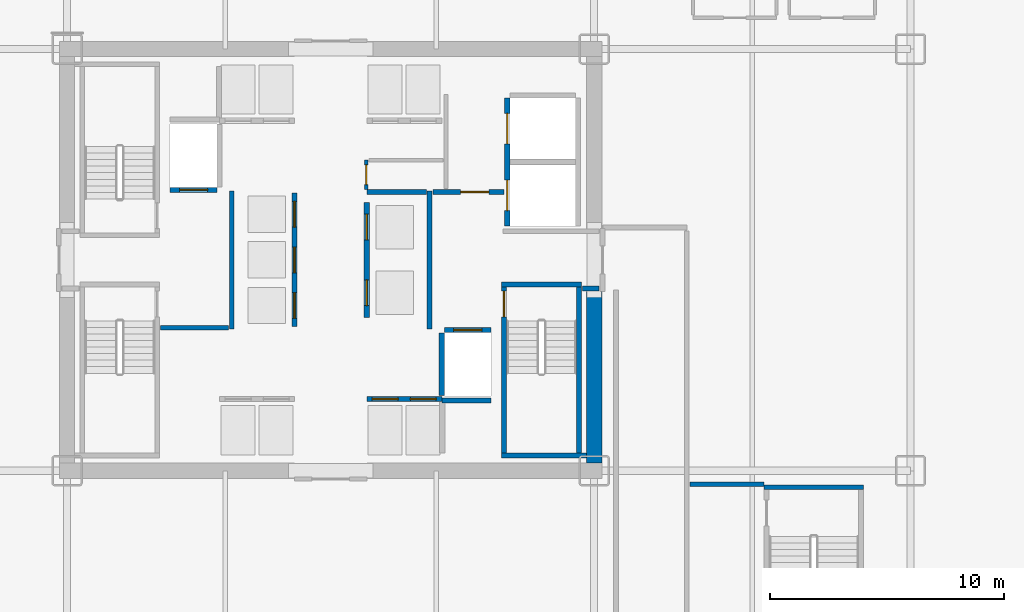
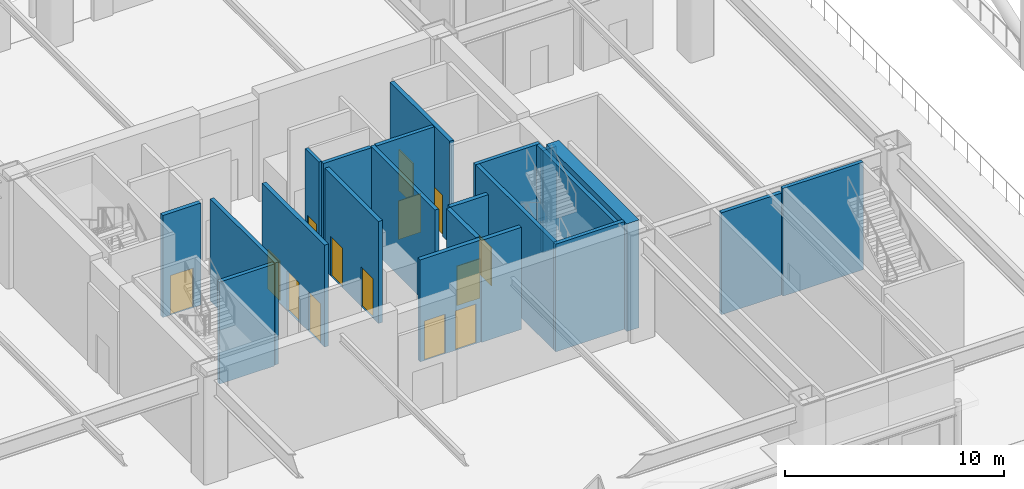
# One storey, part 9 of 17: 22 walls, 14 doors, 14 openings.
"""IFC4 building model written with IfcOpenShell, lengths in metres."""

from ifc_helpers import new_model, si_unit, direction, frame, frame_2d, origin, place, context, subcontext, project, spatial, rectangle, extrude, source, transform, mapped, material, layer, layer_set, type_object, element, fill, save


model = new_model("IFC4")

# Units and contexts
model_context = context("Model", 3, precision=1e-05, world=origin(), true_north=direction((0.0, 1.0)))
body_context = subcontext(model_context, "Body", "Model", "MODEL_VIEW")
ifc_project = project(units=[si_unit("LENGTHUNIT", "METRE"), si_unit("AREAUNIT", "SQUARE_METRE"), si_unit("VOLUMEUNIT", "CUBIC_METRE"), si_unit("PLANEANGLEUNIT", "RADIAN"), si_unit("MASSUNIT", "GRAM", prefix="KILO")], contexts=[model_context])

# Site, building, storey
site_placement = place(None, origin())
site = spatial("IfcSite", under=ifc_project, at=site_placement, CompositionType="ELEMENT")
building_placement = place(site_placement, origin())
building = spatial("IfcBuilding", under=site, at=building_placement, Name="Nefas-Gora Pilgrimage Tower", CompositionType="ELEMENT")
storey_placement = place(building_placement, origin())
storey = spatial("IfcBuildingStorey", under=building, at=storey_placement, Name="L00", CompositionType="ELEMENT", Elevation=0.0)

# Walls
ifc_material_1 = material(Name="Concrete C60/75", Category="concrete")
ifc_layer_1 = layer(ifc_material_1, 0.64990234375)
ifc_layer_set_1 = layer_set([ifc_layer_1], Name="Concrete C60/75")
wall_type_1 = type_object("IfcWallType", Name="SW-CORE-650", PredefinedType="SHEAR", material=ifc_layer_set_1)
shared_shape_1 = source(origin(), body_context, "Body", "SweptSolid", [
    extrude(rectangle(XDim=7.324951171875, YDim=0.64990234375, at=frame_2d((3.66259765625, 0.0))), origin(), (0.0, 0.0, 1.0), 6.0),
])
wall_1_placement = place(storey_placement, frame((11.25, -8.675048828125, 0.0), z_axis=(0.0, 0.0, 1.0), x_axis=(0.0, 1.0, 0.0)))
element("IfcWall", 1, at=wall_1_placement, inside=storey, type_object=wall_type_1, Name="L00 Core Shear Wall E-South", PredefinedType="SHEAR", context=body_context, shape_type="MappedRepresentation", body=[
    mapped(shared_shape_1, transform((0.0, 0.0, 0.0), x_axis=(1.0, 0.0, 0.0), y_axis=(0.0, 1.0, 0.0), z_axis=(0.0, 0.0, 1.0), scale=1.0)),
])
ifc_material_2 = material(Name="Concrete C45/55", Category="concrete")
ifc_layer_2 = layer(ifc_material_2, 0.199951171875)
ifc_layer_set_2 = layer_set([ifc_layer_2], Name="Concrete C45/55")
wall_type_2 = type_object("IfcWallType", Name="IW-STAIR-200", PredefinedType="SOLIDWALL", material=ifc_layer_set_2)
shared_shape_2 = source(origin(), body_context, "Body", "SweptSolid", [
    extrude(rectangle(XDim=3.39990234375, YDim=0.199951171875, at=frame_2d((1.699951171875, 0.0))), origin(), (0.0, 0.0, 1.0), 6.0),
])
wall_2_placement = place(storey_placement, frame((7.300048828125, -1.050048828125, 0.0), z_axis=(0.0, 0.0, 1.0), x_axis=(1.0, 0.0, 0.0)))
element("IfcWall", 2, at=wall_2_placement, inside=storey, type_object=wall_type_2, Name="L00 Stairwell Shear Wall ST-02-near", PredefinedType="SOLIDWALL", context=body_context, shape_type="MappedRepresentation", body=[
    mapped(shared_shape_2, transform((0.0, 0.0, 0.0), x_axis=(1.0, 0.0, 0.0), y_axis=(0.0, 1.0, 0.0), z_axis=(0.0, 0.0, 1.0), scale=1.0)),
])
shared_shape_3 = source(origin(), body_context, "Body", "SweptSolid", [
    extrude(rectangle(XDim=3.6298828125, YDim=0.199951171875, at=frame_2d((1.81494140625, 0.0))), origin(), (0.0, 0.0, 1.0), 6.0),
])
wall_3_placement = place(storey_placement, frame((7.300048828125, -8.35009765625, 0.0), z_axis=(0.0, 0.0, 1.0), x_axis=(1.0, 0.0, 0.0)))
element("IfcWall", 3, at=wall_3_placement, inside=storey, type_object=wall_type_2, Name="L00 Stairwell Shear Wall ST-02-far", PredefinedType="SOLIDWALL", context=body_context, shape_type="MappedRepresentation", body=[
    mapped(shared_shape_3, transform((0.0, 0.0, 0.0), x_axis=(1.0, 0.0, 0.0), y_axis=(0.0, 1.0, 0.0), z_axis=(0.0, 0.0, 1.0), scale=1.0)),
])

# Wall, opening, door
shared_shape_4 = source(origin(), body_context, "Body", "SweptSolid", [
    extrude(rectangle(XDim=7.10009765625, YDim=0.199951171875, at=frame_2d((3.550048828125, 0.0))), origin(), (0.0, 0.0, 1.0), 6.0),
])
wall_4_placement = place(storey_placement, frame((7.39990234375, -1.14990234375, 0.0), z_axis=(0.0, 0.0, 1.0), x_axis=(0.0, -1.0, 0.0)))
wall_4 = element("IfcWall", 4, at=wall_4_placement, inside=storey, type_object=wall_type_2, Name="L00 Stairwell Shear Wall ST-02-left", PredefinedType="SOLIDWALL", context=body_context, shape_type="MappedRepresentation", body=[
    mapped(shared_shape_4, transform((0.0, 0.0, 0.0), x_axis=(1.0, 0.0, 0.0), y_axis=(0.0, 1.0, 0.0), z_axis=(0.0, 0.0, 1.0), scale=1.0)),
])
opening_1_placement = place(wall_4_placement, frame((0.179931640625, 0.0, 0.0)))
opening_1 = element("IfcOpeningElement", 5, at=opening_1_placement, cuts=wall_4, Name="Opening ID-ST1", PredefinedType="OPENING", context=body_context, shape_type="SweptSolid", body=[
    extrude(rectangle(XDim=1.10009765625, YDim=2.14990234375, at=frame_2d((0.550048828125, 1.074951171875))), frame((0.0, 0.10986328125, 0.0), z_axis=(0.0, -1.0, 0.0), x_axis=(1.0, 0.0, 0.0)), (0.0, 0.0, 1.0), 0.219970703125),
])
ifc_material_3 = material(Name="Painted galvanised steel fire stair door", Category="steel")
door_type_1 = type_object("IfcDoorType", Name="DR-INT-STAIR-1100", OperationType="NOTDEFINED", PredefinedType="DOOR", material=ifc_material_3)
shared_shape_5 = source(origin(), body_context, "Body", "SweptSolid", [
    extrude(rectangle(XDim=1.10009765625, YDim=2.14990234375, at=frame_2d((0.550048828125, 1.074951171875))), frame((0.0, 0.02490234375, 0.0), z_axis=(0.0, -1.0, 0.0), x_axis=(1.0, 0.0, 0.0)), (0.0, 0.0, 1.0), 0.050048828125),
])
door_1_placement = place(opening_1_placement, frame((1.10009765625, 0.0, 0.0), z_axis=(0.0, 0.0, 1.0), x_axis=(-1.0, 0.0, 0.0)))
door_1 = element("IfcDoor", 6, at=door_1_placement, inside=storey, type_object=door_type_1, Name="L00 Protected Exit Stair Door ST-02", OperationType="SINGLE_SWING_LEFT", OverallHeight=2.14990234375, OverallWidth=1.10009765625, PredefinedType="DOOR", context=body_context, shape_type="MappedRepresentation", body=[
    mapped(shared_shape_5, transform((0.0, 0.0, 0.0), x_axis=(1.0, 0.0, 0.0), y_axis=(0.0, 1.0, 0.0), z_axis=(0.0, 0.0, 1.0), scale=1.0)),
])
fill(opening_1, door_1)

# Walls
wall_5_placement = place(storey_placement, frame((10.60009765625, -1.14990234375, 0.0), z_axis=(0.0, 0.0, 1.0), x_axis=(0.0, -1.0, 0.0)))
element("IfcWall", 7, at=wall_5_placement, inside=storey, type_object=wall_type_2, Name="L00 Stairwell Shear Wall ST-02-right", PredefinedType="SOLIDWALL", context=body_context, shape_type="MappedRepresentation", body=[
    mapped(shared_shape_4, transform((0.0, 0.0, 0.0), x_axis=(1.0, 0.0, 0.0), y_axis=(0.0, 1.0, 0.0), z_axis=(0.0, 0.0, 1.0), scale=1.0)),
])
shared_shape_6 = source(origin(), body_context, "Body", "SweptSolid", [
    extrude(rectangle(XDim=4.239990234375, YDim=0.199951171875, at=frame_2d((2.1201171875, 0.0))), origin(), (0.0, 0.0, 1.0), 6.0),
])
wall_6_placement = place(storey_placement, frame((18.5, -9.699951171875, 0.0), z_axis=(0.0, 0.0, 1.0), x_axis=(1.0, 0.0, 0.0)))
element("IfcWall", 8, at=wall_6_placement, inside=storey, type_object=wall_type_2, Name="L00 Stairwell Shear Wall ST-06-near", PredefinedType="SOLIDWALL", context=body_context, shape_type="MappedRepresentation", body=[
    mapped(shared_shape_6, transform((0.0, 0.0, 0.0), x_axis=(1.0, 0.0, 0.0), y_axis=(0.0, 1.0, 0.0), z_axis=(0.0, 0.0, 1.0), scale=1.0)),
])

# Wall, opening, door
ifc_material_4 = material(Name="Concrete C40/50", Category="concrete")
ifc_layer_3 = layer(ifc_material_4, 0.219970703125)
ifc_layer_set_3 = layer_set([ifc_layer_3], Name="Concrete C40/50")
wall_type_3 = type_object("IfcWallType", Name="IW-SHAFT-220", PredefinedType="SOLIDWALL", material=ifc_layer_set_3)
shared_shape_7 = source(origin(), body_context, "Body", "SweptSolid", [
    extrude(rectangle(XDim=2.0, YDim=0.219970703125, at=frame_2d((1.0, 0.0))), origin(), (0.0, 0.0, 1.0), 5.68505859375),
])
wall_7_placement = place(storey_placement, frame((-6.85009765625, 2.989990234375, 0.0), z_axis=(0.0, 0.0, 1.0), x_axis=(1.0, 0.0, 0.0)))
wall_7 = element("IfcWall", 9, at=wall_7_placement, inside=storey, type_object=wall_type_3, Name="L00 Hoistway Wall FFL-01-S", PredefinedType="SOLIDWALL", context=body_context, shape_type="MappedRepresentation", body=[
    mapped(shared_shape_7, transform((0.0, 0.0, 0.0), x_axis=(1.0, 0.0, 0.0), y_axis=(0.0, 1.0, 0.0), z_axis=(0.0, 0.0, 1.0), scale=1.0)),
])
opening_2_placement = place(wall_7_placement, frame((0.39990234375, 0.0, 0.0)))
opening_2 = element("IfcOpeningElement", 10, at=opening_2_placement, cuts=wall_7, Name="Opening LD-FF", PredefinedType="OPENING", context=body_context, shape_type="SweptSolid", body=[
    extrude(rectangle(XDim=1.199951171875, YDim=2.199951171875, at=frame_2d((0.60009765625, 1.10009765625))), frame((0.0, 0.119873046875, 0.0), z_axis=(0.0, -1.0, 0.0), x_axis=(1.0, 0.0, 0.0)), (0.0, 0.0, 1.0), 0.239990234375),
])
ifc_material_5 = material(Name="Fire-service sliding lift landing door")
door_type_2 = type_object("IfcDoorType", Name="DR-LIFT-FSAE-1200", OperationType="SLIDING_TO_LEFT", PredefinedType="DOOR", material=ifc_material_5)
shared_shape_8 = source(origin(), body_context, "Body", "SweptSolid", [
    extrude(rectangle(XDim=1.199951171875, YDim=2.199951171875, at=frame_2d((0.60009765625, 1.10009765625))), frame((0.0, 0.02490234375, 0.0), z_axis=(0.0, -1.0, 0.0), x_axis=(1.0, 0.0, 0.0)), (0.0, 0.0, 1.0), 0.050048828125),
])
door_2_placement = place(opening_2_placement, origin())
door_2 = element("IfcDoor", 11, at=door_2_placement, inside=storey, type_object=door_type_2, Name="L00 Sliding Lift Landing Door FFL-01", OperationType="SLIDING_TO_LEFT", OverallHeight=2.199951171875, OverallWidth=1.199951171875, PredefinedType="DOOR", context=body_context, shape_type="MappedRepresentation", body=[
    mapped(shared_shape_8, transform((0.0, 0.0, 0.0), x_axis=(1.0, 0.0, 0.0), y_axis=(0.0, 1.0, 0.0), z_axis=(0.0, 0.0, 1.0), scale=1.0)),
])
fill(opening_2, door_2)

wall_8_placement = place(storey_placement, frame((6.85009765625, -2.989990234375, 0.0), z_axis=(0.0, 0.0, 1.0), x_axis=(-1.0, 0.0, 0.0)))
wall_8 = element("IfcWall", 12, at=wall_8_placement, inside=storey, type_object=wall_type_3, Name="L00 Hoistway Wall FFL-02-N", PredefinedType="SOLIDWALL", context=body_context, shape_type="MappedRepresentation", body=[
    mapped(shared_shape_7, transform((0.0, 0.0, 0.0), x_axis=(1.0, 0.0, 0.0), y_axis=(0.0, 1.0, 0.0), z_axis=(0.0, 0.0, 1.0), scale=1.0)),
])
opening_3_placement = place(wall_8_placement, frame((0.39990234375, 0.0, 0.0)))
opening_3 = element("IfcOpeningElement", 13, at=opening_3_placement, cuts=wall_8, Name="Opening LD-FF", PredefinedType="OPENING", context=body_context, shape_type="SweptSolid", body=[
    extrude(rectangle(XDim=1.199951171875, YDim=2.199951171875, at=frame_2d((0.60009765625, 1.10009765625))), frame((0.0, 0.119873046875, 0.0), z_axis=(0.0, -1.0, 0.0), x_axis=(1.0, 0.0, 0.0)), (0.0, 0.0, 1.0), 0.239990234375),
])
door_3_placement = place(opening_3_placement, origin())
door_3 = element("IfcDoor", 14, at=door_3_placement, inside=storey, type_object=door_type_2, Name="L00 Sliding Lift Landing Door FFL-02", OperationType="SLIDING_TO_LEFT", OverallHeight=2.199951171875, OverallWidth=1.199951171875, PredefinedType="DOOR", context=body_context, shape_type="MappedRepresentation", body=[
    mapped(shared_shape_8, transform((0.0, 0.0, 0.0), x_axis=(1.0, 0.0, 0.0), y_axis=(0.0, 1.0, 0.0), z_axis=(0.0, 0.0, 1.0), scale=1.0)),
])
fill(opening_3, door_3)

# Wall
shared_shape_9 = source(origin(), body_context, "Body", "SweptSolid", [
    extrude(rectangle(XDim=2.679931640625, YDim=0.219970703125, at=frame_2d((1.33984375, 0.0))), origin(), (0.0, 0.0, 1.0), 5.68505859375),
])
wall_9_placement = place(storey_placement, frame((4.739990234375, -3.110107421875, 0.0), z_axis=(0.0, 0.0, 1.0), x_axis=(0.0, -1.0, 0.0)))
element("IfcWall", 15, at=wall_9_placement, inside=storey, type_object=wall_type_3, Name="L00 Hoistway Wall FFL-02-W", PredefinedType="SOLIDWALL", context=body_context, shape_type="MappedRepresentation", body=[
    mapped(shared_shape_9, transform((0.0, 0.0, 0.0), x_axis=(1.0, 0.0, 0.0), y_axis=(0.0, 1.0, 0.0), z_axis=(0.0, 0.0, 1.0), scale=1.0)),
])

# Wall, openings, doors
shared_shape_10 = source(origin(), body_context, "Body", "SweptSolid", [
    extrude(rectangle(XDim=5.449951171875, YDim=0.219970703125, at=frame_2d((2.72509765625, 0.0))), origin(), (0.0, 0.0, 1.0), 5.68505859375),
])
wall_10_placement = place(storey_placement, frame((7.5400390625, 6.89990234375, 0.0), z_axis=(0.0, 0.0, 1.0), x_axis=(0.0, -1.0, 0.0)))
wall_10 = element("IfcWall", 16, at=wall_10_placement, inside=storey, type_object=wall_type_3, Name="L00 Hoistway Wall SL-01-02-W", PredefinedType="SOLIDWALL", context=body_context, shape_type="MappedRepresentation", body=[
    mapped(shared_shape_10, transform((0.0, 0.0, 0.0), x_axis=(1.0, 0.0, 0.0), y_axis=(0.0, 1.0, 0.0), z_axis=(0.0, 0.0, 1.0), scale=1.0)),
])
opening_4_placement = place(wall_10_placement, frame((3.5, 0.0, 0.0)))
opening_4 = element("IfcOpeningElement", 17, at=opening_4_placement, cuts=wall_10, Name="Opening LD-SV", PredefinedType="OPENING", context=body_context, shape_type="SweptSolid", body=[
    extrude(rectangle(XDim=1.300048828125, YDim=2.300048828125, at=frame_2d((0.64990234375, 1.14990234375))), frame((0.0, 0.119873046875, 0.0), z_axis=(0.0, -1.0, 0.0), x_axis=(1.0, 0.0, 0.0)), (0.0, 0.0, 1.0), 0.239990234375),
])
opening_5_placement = place(wall_10_placement, frame((0.64990234375, 0.0, 0.0)))
opening_5 = element("IfcOpeningElement", 18, at=opening_5_placement, cuts=wall_10, Name="Opening LD-SV", PredefinedType="OPENING", context=body_context, shape_type="SweptSolid", body=[
    extrude(rectangle(XDim=1.300048828125, YDim=2.300048828125, at=frame_2d((0.64990234375, 1.14990234375))), frame((0.0, 0.119873046875, 0.0), z_axis=(0.0, -1.0, 0.0), x_axis=(1.0, 0.0, 0.0)), (0.0, 0.0, 1.0), 0.239990234375),
])
ifc_material_6 = material(Name="Heavy goods sliding lift landing door")
door_type_3 = type_object("IfcDoorType", Name="DR-LIFT-SERV-1300", OperationType="SLIDING_TO_RIGHT", PredefinedType="DOOR", material=ifc_material_6)
shared_shape_11 = source(origin(), body_context, "Body", "SweptSolid", [
    extrude(rectangle(XDim=1.300048828125, YDim=2.300048828125, at=frame_2d((0.64990234375, 1.14990234375))), frame((0.0, 0.02490234375, 0.0), z_axis=(0.0, -1.0, 0.0), x_axis=(1.0, 0.0, 0.0)), (0.0, 0.0, 1.0), 0.050048828125),
])
door_4_placement = place(opening_4_placement, origin())
door_4 = element("IfcDoor", 19, at=door_4_placement, inside=storey, type_object=door_type_3, Name="L00 Sliding Lift Landing Door SL-01", OperationType="SLIDING_TO_RIGHT", OverallHeight=2.300048828125, OverallWidth=1.300048828125, PredefinedType="DOOR", context=body_context, shape_type="MappedRepresentation", body=[
    mapped(shared_shape_11, transform((0.0, 0.0, 0.0), x_axis=(1.0, 0.0, 0.0), y_axis=(0.0, 1.0, 0.0), z_axis=(0.0, 0.0, 1.0), scale=1.0)),
])
fill(opening_4, door_4)
door_5_placement = place(opening_5_placement, origin())
door_5 = element("IfcDoor", 20, at=door_5_placement, inside=storey, type_object=door_type_3, Name="L00 Sliding Lift Landing Door SL-02", OperationType="SLIDING_TO_RIGHT", OverallHeight=2.300048828125, OverallWidth=1.300048828125, PredefinedType="DOOR", context=body_context, shape_type="MappedRepresentation", body=[
    mapped(shared_shape_11, transform((0.0, 0.0, 0.0), x_axis=(1.0, 0.0, 0.0), y_axis=(0.0, 1.0, 0.0), z_axis=(0.0, 0.0, 1.0), scale=1.0)),
])
fill(opening_5, door_5)

shared_shape_12 = source(origin(), body_context, "Body", "SweptSolid", [
    extrude(rectangle(XDim=3.199951171875, YDim=0.219970703125, at=frame_2d((1.60009765625, 0.0))), origin(), (0.0, 0.0, 1.0), 5.68505859375),
])
wall_11_placement = place(storey_placement, frame((4.75, -5.93994140625, 0.0), z_axis=(0.0, 0.0, 1.0), x_axis=(-1.0, 0.0, 0.0)))
wall_11 = element("IfcWall", 21, at=wall_11_placement, inside=storey, type_object=wall_type_3, Name="L00 Hoistway Wall PL2-E-N", PredefinedType="SOLIDWALL", context=body_context, shape_type="MappedRepresentation", body=[
    mapped(shared_shape_12, transform((0.0, 0.0, 0.0), x_axis=(1.0, 0.0, 0.0), y_axis=(0.0, 1.0, 0.0), z_axis=(0.0, 0.0, 1.0), scale=1.0)),
])
opening_6_placement = place(wall_11_placement, frame((1.875, 0.0, 0.0)))
opening_6 = element("IfcOpeningElement", 22, at=opening_6_placement, cuts=wall_11, Name="Opening LD-01", PredefinedType="OPENING", context=body_context, shape_type="SweptSolid", body=[
    extrude(rectangle(XDim=1.10009765625, YDim=2.199951171875, at=frame_2d((0.550048828125, 1.10009765625))), frame((0.0, 0.119873046875, 0.0), z_axis=(0.0, -1.0, 0.0), x_axis=(1.0, 0.0, 0.0)), (0.0, 0.0, 1.0), 0.239990234375),
])
opening_7_placement = place(wall_11_placement, frame((0.25, 0.0, 0.0)))
opening_7 = element("IfcOpeningElement", 23, at=opening_7_placement, cuts=wall_11, Name="Opening LD-01", PredefinedType="OPENING", context=body_context, shape_type="SweptSolid", body=[
    extrude(rectangle(XDim=1.10009765625, YDim=2.199951171875, at=frame_2d((0.550048828125, 1.10009765625))), frame((0.0, 0.119873046875, 0.0), z_axis=(0.0, -1.0, 0.0), x_axis=(1.0, 0.0, 0.0)), (0.0, 0.0, 1.0), 0.239990234375),
])
ifc_material_7 = material(Name="Brushed stainless sliding lift landing door")
door_type_4 = type_object("IfcDoorType", Name="DR-LIFT-PASS-1100", OperationType="DOUBLE_DOOR_SLIDING", PredefinedType="DOOR", material=ifc_material_7)
shared_shape_13 = source(origin(), body_context, "Body", "SweptSolid", [
    extrude(rectangle(XDim=1.10009765625, YDim=2.199951171875, at=frame_2d((0.550048828125, 1.10009765625))), frame((0.0, 0.02490234375, 0.0), z_axis=(0.0, -1.0, 0.0), x_axis=(1.0, 0.0, 0.0)), (0.0, 0.0, 1.0), 0.050048828125),
])
door_6_placement = place(opening_6_placement, origin())
door_6 = element("IfcDoor", 24, at=door_6_placement, inside=storey, type_object=door_type_4, Name="L00 Sliding Lift Landing Door PL2-03", OperationType="DOUBLE_DOOR_SLIDING", OverallHeight=2.199951171875, OverallWidth=1.10009765625, PredefinedType="DOOR", context=body_context, shape_type="MappedRepresentation", body=[
    mapped(shared_shape_13, transform((0.0, 0.0, 0.0), x_axis=(1.0, 0.0, 0.0), y_axis=(0.0, 1.0, 0.0), z_axis=(0.0, 0.0, 1.0), scale=1.0)),
])
fill(opening_6, door_6)
door_7_placement = place(opening_7_placement, origin())
door_7 = element("IfcDoor", 25, at=door_7_placement, inside=storey, type_object=door_type_4, Name="L00 Sliding Lift Landing Door PL2-04", OperationType="DOUBLE_DOOR_SLIDING", OverallHeight=2.199951171875, OverallWidth=1.10009765625, PredefinedType="DOOR", context=body_context, shape_type="MappedRepresentation", body=[
    mapped(shared_shape_13, transform((0.0, 0.0, 0.0), x_axis=(1.0, 0.0, 0.0), y_axis=(0.0, 1.0, 0.0), z_axis=(0.0, 0.0, 1.0), scale=1.0)),
])
fill(opening_7, door_7)

shared_shape_14 = source(origin(), body_context, "Body", "SweptSolid", [
    extrude(rectangle(XDim=5.7001953125, YDim=0.219970703125, at=frame_2d((2.85009765625, 0.0))), origin(), (0.0, 0.0, 1.0), 5.68505859375),
])
wall_12_placement = place(storey_placement, frame((-1.5400390625, -2.85009765625, 0.0), z_axis=(0.0, 0.0, 1.0), x_axis=(0.0, 1.0, 0.0)))
wall_12 = element("IfcWall", 26, at=wall_12_placement, inside=storey, type_object=wall_type_3, Name="L00 Hoistway Wall PL3-01-03-E", PredefinedType="SOLIDWALL", context=body_context, shape_type="MappedRepresentation", body=[
    mapped(shared_shape_14, transform((0.0, 0.0, 0.0), x_axis=(1.0, 0.0, 0.0), y_axis=(0.0, 1.0, 0.0), z_axis=(0.0, 0.0, 1.0), scale=1.0)),
])
opening_8_placement = place(wall_12_placement, frame((0.35009765625, 0.0, 0.0)))
opening_8 = element("IfcOpeningElement", 27, at=opening_8_placement, cuts=wall_12, Name="Opening LD-01", PredefinedType="OPENING", context=body_context, shape_type="SweptSolid", body=[
    extrude(rectangle(XDim=1.10009765625, YDim=2.199951171875, at=frame_2d((0.550048828125, 1.10009765625))), frame((0.0, 0.119873046875, 0.0), z_axis=(0.0, -1.0, 0.0), x_axis=(1.0, 0.0, 0.0)), (0.0, 0.0, 1.0), 0.239990234375),
])
opening_9_placement = place(wall_12_placement, frame((2.300048828125, 0.0, 0.0)))
opening_9 = element("IfcOpeningElement", 28, at=opening_9_placement, cuts=wall_12, Name="Opening LD-01", PredefinedType="OPENING", context=body_context, shape_type="SweptSolid", body=[
    extrude(rectangle(XDim=1.10009765625, YDim=2.199951171875, at=frame_2d((0.550048828125, 1.10009765625))), frame((0.0, 0.119873046875, 0.0), z_axis=(0.0, -1.0, 0.0), x_axis=(1.0, 0.0, 0.0)), (0.0, 0.0, 1.0), 0.239990234375),
])
opening_10_placement = place(wall_12_placement, frame((4.25, 0.0, 0.0)))
opening_10 = element("IfcOpeningElement", 29, at=opening_10_placement, cuts=wall_12, Name="Opening LD-01", PredefinedType="OPENING", context=body_context, shape_type="SweptSolid", body=[
    extrude(rectangle(XDim=1.10009765625, YDim=2.199951171875, at=frame_2d((0.550048828125, 1.10009765625))), frame((0.0, 0.119873046875, 0.0), z_axis=(0.0, -1.0, 0.0), x_axis=(1.0, 0.0, 0.0)), (0.0, 0.0, 1.0), 0.239990234375),
])
door_8_placement = place(opening_8_placement, origin())
door_8 = element("IfcDoor", 30, at=door_8_placement, inside=storey, type_object=door_type_4, Name="L00 Sliding Lift Landing Door PL3-01", OperationType="DOUBLE_DOOR_SLIDING", OverallHeight=2.199951171875, OverallWidth=1.10009765625, PredefinedType="DOOR", context=body_context, shape_type="MappedRepresentation", body=[
    mapped(shared_shape_13, transform((0.0, 0.0, 0.0), x_axis=(1.0, 0.0, 0.0), y_axis=(0.0, 1.0, 0.0), z_axis=(0.0, 0.0, 1.0), scale=1.0)),
])
fill(opening_8, door_8)
door_9_placement = place(opening_9_placement, origin())
door_9 = element("IfcDoor", 31, at=door_9_placement, inside=storey, type_object=door_type_4, Name="L00 Sliding Lift Landing Door PL3-02", OperationType="DOUBLE_DOOR_SLIDING", OverallHeight=2.199951171875, OverallWidth=1.10009765625, PredefinedType="DOOR", context=body_context, shape_type="MappedRepresentation", body=[
    mapped(shared_shape_13, transform((0.0, 0.0, 0.0), x_axis=(1.0, 0.0, 0.0), y_axis=(0.0, 1.0, 0.0), z_axis=(0.0, 0.0, 1.0), scale=1.0)),
])
fill(opening_9, door_9)
door_10_placement = place(opening_10_placement, origin())
door_10 = element("IfcDoor", 32, at=door_10_placement, inside=storey, type_object=door_type_4, Name="L00 Sliding Lift Landing Door PL3-03", OperationType="DOUBLE_DOOR_SLIDING", OverallHeight=2.199951171875, OverallWidth=1.10009765625, PredefinedType="DOOR", context=body_context, shape_type="MappedRepresentation", body=[
    mapped(shared_shape_13, transform((0.0, 0.0, 0.0), x_axis=(1.0, 0.0, 0.0), y_axis=(0.0, 1.0, 0.0), z_axis=(0.0, 0.0, 1.0), scale=1.0)),
])
fill(opening_10, door_10)

shared_shape_15 = source(origin(), body_context, "Body", "SweptSolid", [
    extrude(rectangle(XDim=4.89990234375, YDim=0.219970703125, at=frame_2d((2.449951171875, 0.0))), origin(), (0.0, 0.0, 1.0), 5.68505859375),
])
wall_13_placement = place(storey_placement, frame((1.5400390625, 2.449951171875, 0.0), z_axis=(0.0, 0.0, 1.0), x_axis=(0.0, -1.0, 0.0)))
wall_13 = element("IfcWall", 33, at=wall_13_placement, inside=storey, type_object=wall_type_3, Name="L00 Hoistway Wall OBS-01-02-W", PredefinedType="SOLIDWALL", context=body_context, shape_type="MappedRepresentation", body=[
    mapped(shared_shape_15, transform((0.0, 0.0, 0.0), x_axis=(1.0, 0.0, 0.0), y_axis=(0.0, 1.0, 0.0), z_axis=(0.0, 0.0, 1.0), scale=1.0)),
])
opening_11_placement = place(wall_13_placement, frame((3.300048828125, 0.0, 0.0)))
opening_11 = element("IfcOpeningElement", 34, at=opening_11_placement, cuts=wall_13, Name="Opening LD-01", PredefinedType="OPENING", context=body_context, shape_type="SweptSolid", body=[
    extrude(rectangle(XDim=1.10009765625, YDim=2.199951171875, at=frame_2d((0.550048828125, 1.10009765625))), frame((0.0, 0.119873046875, 0.0), z_axis=(0.0, -1.0, 0.0), x_axis=(1.0, 0.0, 0.0)), (0.0, 0.0, 1.0), 0.239990234375),
])
opening_12_placement = place(wall_13_placement, frame((0.5, 0.0, 0.0)))
opening_12 = element("IfcOpeningElement", 35, at=opening_12_placement, cuts=wall_13, Name="Opening LD-01", PredefinedType="OPENING", context=body_context, shape_type="SweptSolid", body=[
    extrude(rectangle(XDim=1.10009765625, YDim=2.199951171875, at=frame_2d((0.550048828125, 1.10009765625))), frame((0.0, 0.119873046875, 0.0), z_axis=(0.0, -1.0, 0.0), x_axis=(1.0, 0.0, 0.0)), (0.0, 0.0, 1.0), 0.239990234375),
])
door_11_placement = place(opening_11_placement, origin())
door_11 = element("IfcDoor", 36, at=door_11_placement, inside=storey, type_object=door_type_4, Name="L00 Sliding Lift Landing Door OBS-01", OperationType="DOUBLE_DOOR_SLIDING", OverallHeight=2.199951171875, OverallWidth=1.10009765625, PredefinedType="DOOR", context=body_context, shape_type="MappedRepresentation", body=[
    mapped(shared_shape_13, transform((0.0, 0.0, 0.0), x_axis=(1.0, 0.0, 0.0), y_axis=(0.0, 1.0, 0.0), z_axis=(0.0, 0.0, 1.0), scale=1.0)),
])
fill(opening_11, door_11)
door_12_placement = place(opening_12_placement, origin())
door_12 = element("IfcDoor", 37, at=door_12_placement, inside=storey, type_object=door_type_4, Name="L00 Sliding Lift Landing Door OBS-02", OperationType="DOUBLE_DOOR_SLIDING", OverallHeight=2.199951171875, OverallWidth=1.10009765625, PredefinedType="DOOR", context=body_context, shape_type="MappedRepresentation", body=[
    mapped(shared_shape_13, transform((0.0, 0.0, 0.0), x_axis=(1.0, 0.0, 0.0), y_axis=(0.0, 1.0, 0.0), z_axis=(0.0, 0.0, 1.0), scale=1.0)),
])
fill(opening_12, door_12)

# Walls
shared_shape_16 = source(origin(), body_context, "Body", "SweptSolid", [
    extrude(rectangle(XDim=2.09521484375, YDim=0.219970703125, at=frame_2d((1.047607421875, 0.0))), origin(), (0.0, 0.0, 1.0), 5.68505859375),
])
wall_14_placement = place(storey_placement, frame((4.7548828125, -6.0, 0.0), z_axis=(0.0, 0.0, 1.0), x_axis=(1.0, 0.0, 0.0)))
element("IfcWall", 38, at=wall_14_placement, inside=storey, type_object=wall_type_3, Name="L00 Riser Shaft Wall 4", PredefinedType="SOLIDWALL", context=body_context, shape_type="MappedRepresentation", body=[
    mapped(shared_shape_16, transform((0.0, 0.0, 0.0), x_axis=(1.0, 0.0, 0.0), y_axis=(0.0, 1.0, 0.0), z_axis=(0.0, 0.0, 1.0), scale=1.0)),
])
ifc_material_8 = material(Name="Gypsum fire-rated shaftwall")
ifc_layer_4 = layer(ifc_material_8, 0.199951171875)
ifc_layer_set_4 = layer_set([ifc_layer_4], Name="Gypsum fire-rated shaftwall")
wall_type_4 = type_object("IfcWallType", Name="IW-FFLOB-200", PredefinedType="PARTITIONING", material=ifc_layer_set_4)
shared_shape_17 = source(origin(), body_context, "Body", "SweptSolid", [
    extrude(rectangle(XDim=5.89990234375, YDim=0.199951171875, at=frame_2d((2.949951171875, 0.0))), origin(), (0.0, 0.0, 1.0), 5.68505859375),
])
for number, where, z_axis, x_axis, name in (
    (39, (-4.219970703125, -2.949951171875, 0.0), (0.0, 0.0, 1.0), (0.0, 1.0, 0.0), "L00 FF Lobby West Inner Wall Wall 6"),
    (40, (4.219970703125, -2.949951171875, 0.0), (0.0, 0.0, 1.0), (0.0, 1.0, 0.0), "L00 FF Lobby East Inner Wall Wall 11"),
):
    element("IfcWall", number, at=place(storey_placement, frame(where, z_axis=z_axis, x_axis=x_axis)), inside=storey, type_object=wall_type_4, Name=name, PredefinedType="PARTITIONING", context=body_context, shape_type="MappedRepresentation", body=[
        mapped(shared_shape_17, transform((0.0, 0.0, 0.0), x_axis=(1.0, 0.0, 0.0), y_axis=(0.0, 1.0, 0.0), z_axis=(0.0, 0.0, 1.0), scale=1.0)),
    ])
shared_shape_18 = source(origin(), body_context, "Body", "SweptSolid", [
    extrude(rectangle(XDim=2.89990234375, YDim=0.199951171875, at=frame_2d((1.449951171875, 0.0))), origin(), (0.0, 0.0, 1.0), 5.68505859375),
])
wall_15_placement = place(storey_placement, frame((-7.260009765625, -2.89990234375, 0.0), z_axis=(0.0, 0.0, 1.0), x_axis=(1.0, 0.0, 0.0)))
element("IfcWall", 41, at=wall_15_placement, inside=storey, type_object=wall_type_4, Name="L00 FF Lobby West South Wall Wall 7", PredefinedType="PARTITIONING", context=body_context, shape_type="MappedRepresentation", body=[
    mapped(shared_shape_18, transform((0.0, 0.0, 0.0), x_axis=(1.0, 0.0, 0.0), y_axis=(0.0, 1.0, 0.0), z_axis=(0.0, 0.0, 1.0), scale=1.0)),
])
shared_shape_19 = source(origin(), body_context, "Body", "SweptSolid", [
    extrude(rectangle(XDim=0.719970703125, YDim=0.199951171875, at=frame_2d((0.35986328125, 0.0))), origin(), (0.0, 0.0, 1.0), 5.68505859375),
])
wall_16_placement = place(storey_placement, frame((10.739990234375, -1.219970703125, 0.0), z_axis=(0.0, 0.0, 1.0), x_axis=(1.0, 0.0, 0.0)))
element("IfcWall", 42, at=wall_16_placement, inside=storey, type_object=wall_type_4, Name="L00 FF Lobby East Throat S Wall 15", PredefinedType="PARTITIONING", context=body_context, shape_type="MappedRepresentation", body=[
    mapped(shared_shape_19, transform((0.0, 0.0, 0.0), x_axis=(1.0, 0.0, 0.0), y_axis=(0.0, 1.0, 0.0), z_axis=(0.0, 0.0, 1.0), scale=1.0)),
])
shared_shape_20 = source(origin(), body_context, "Body", "SweptSolid", [
    extrude(rectangle(XDim=2.52001953125, YDim=0.199951171875, at=frame_2d((1.260009765625, 0.0))), origin(), (0.0, 0.0, 1.0), 5.68505859375),
])
wall_17_placement = place(storey_placement, frame((1.56005859375, 2.89990234375, 0.0), z_axis=(0.0, 0.0, 1.0), x_axis=(1.0, 0.0, 0.0)))
element("IfcWall", 43, at=wall_17_placement, inside=storey, type_object=wall_type_4, Name="L00 FF Lobby East North Wall Wall 12", PredefinedType="PARTITIONING", context=body_context, shape_type="MappedRepresentation", body=[
    mapped(shared_shape_20, transform((0.0, 0.0, 0.0), x_axis=(1.0, 0.0, 0.0), y_axis=(0.0, 1.0, 0.0), z_axis=(0.0, 0.0, 1.0), scale=1.0)),
])

# Wall, opening, door
shared_shape_21 = source(origin(), body_context, "Body", "SweptSolid", [
    extrude(rectangle(XDim=3.039794921875, YDim=0.199951171875, at=frame_2d((1.52001953125, 0.0))), origin(), (0.0, 0.0, 1.0), 5.68505859375),
])
wall_18_placement = place(storey_placement, frame((4.360107421875, 2.89990234375, 0.0), z_axis=(0.0, 0.0, 1.0), x_axis=(1.0, 0.0, 0.0)))
wall_18 = element("IfcWall", 44, at=wall_18_placement, inside=storey, type_object=wall_type_4, Name="L00 FF Lobby East North Wall Wall 13", PredefinedType="PARTITIONING", context=body_context, shape_type="MappedRepresentation", body=[
    mapped(shared_shape_21, transform((0.0, 0.0, 0.0), x_axis=(1.0, 0.0, 0.0), y_axis=(0.0, 1.0, 0.0), z_axis=(0.0, 0.0, 1.0), scale=1.0)),
])
opening_13_placement = place(wall_18_placement, frame((1.18994140625, 0.0, 0.0)))
opening_13 = element("IfcOpeningElement", 45, at=opening_13_placement, cuts=wall_18, Name="Opening ID-PL1", PredefinedType="OPENING", context=body_context, shape_type="SweptSolid", body=[
    extrude(rectangle(XDim=1.199951171875, YDim=2.14990234375, at=frame_2d((0.60009765625, 1.074951171875))), frame((0.0, 0.10986328125, 0.0), z_axis=(0.0, -1.0, 0.0), x_axis=(1.0, 0.0, 0.0)), (0.0, 0.0, 1.0), 0.219970703125),
])
ifc_material_9 = material(Name="Heavy-duty steel plant room fire door", Category="steel")
door_type_5 = type_object("IfcDoorType", Name="DR-INT-PLANT-1200", OperationType="NOTDEFINED", PredefinedType="DOOR", material=ifc_material_9)
shared_shape_22 = source(origin(), body_context, "Body", "SweptSolid", [
    extrude(rectangle(XDim=1.199951171875, YDim=2.14990234375, at=frame_2d((0.60009765625, 1.074951171875))), frame((0.0, 0.02490234375, 0.0), z_axis=(0.0, -1.0, 0.0), x_axis=(1.0, 0.0, 0.0)), (0.0, 0.0, 1.0), 0.050048828125),
])
door_13_placement = place(opening_13_placement, origin())
door_13 = element("IfcDoor", 46, at=door_13_placement, inside=storey, type_object=door_type_5, Name="L00 Service Lift Lobby Door Door 3", OperationType="SINGLE_SWING_RIGHT", OverallHeight=2.14990234375, OverallWidth=1.199951171875, PredefinedType="DOOR", context=body_context, shape_type="MappedRepresentation", body=[
    mapped(shared_shape_22, transform((0.0, 0.0, 0.0), x_axis=(1.0, 0.0, 0.0), y_axis=(0.0, 1.0, 0.0), z_axis=(0.0, 0.0, 1.0), scale=1.0)),
])
fill(opening_13, door_13)

# Wall
shared_shape_23 = source(origin(), body_context, "Body", "SweptSolid", [
    extrude(rectangle(XDim=3.155029296875, YDim=0.199951171875, at=frame_2d((1.57763671875, 0.0))), origin(), (0.0, 0.0, 1.0), 5.68505859375),
])
wall_19_placement = place(storey_placement, frame((15.340087890625, -9.580078125, 0.0), z_axis=(0.0, 0.0, 1.0), x_axis=(1.0, 0.0, 0.0)))
element("IfcWall", 47, at=wall_19_placement, inside=storey, type_object=wall_type_4, Name="L00 Protected Exit Passage EXP6 North Wall Wall 34", PredefinedType="PARTITIONING", context=body_context, shape_type="MappedRepresentation", body=[
    mapped(shared_shape_23, transform((0.0, 0.0, 0.0), x_axis=(1.0, 0.0, 0.0), y_axis=(0.0, 1.0, 0.0), z_axis=(0.0, 0.0, 1.0), scale=1.0)),
])

# Wall, opening, door
ifc_material_10 = material(Name="Gypsum acoustic stud partition")
ifc_layer_5 = layer(ifc_material_10, 0.159912109375)
ifc_layer_set_5 = layer_set([ifc_layer_5], Name="Gypsum acoustic stud partition")
wall_type_5 = type_object("IfcWallType", Name="IW-CORR-160", PredefinedType="PARTITIONING", material=ifc_layer_set_5)
shared_shape_24 = source(origin(), body_context, "Body", "SweptSolid", [
    extrude(rectangle(XDim=1.25, YDim=0.159912109375, at=frame_2d((0.625, 0.0))), origin(), (0.0, 0.0, 1.0), 5.68505859375),
])
wall_20_placement = place(storey_placement, frame((1.52001953125, 3.010009765625, 0.0), z_axis=(0.0, 0.0, 1.0), x_axis=(0.0, 1.0, 0.0)))
wall_20 = element("IfcWall", 48, at=wall_20_placement, inside=storey, type_object=wall_type_5, Name="L00 Core Communications Room Wall 36", PredefinedType="PARTITIONING", context=body_context, shape_type="MappedRepresentation", body=[
    mapped(shared_shape_24, transform((0.0, 0.0, 0.0), x_axis=(1.0, 0.0, 0.0), y_axis=(0.0, 1.0, 0.0), z_axis=(0.0, 0.0, 1.0), scale=1.0)),
])
opening_14_placement = place(wall_20_placement, frame((0.199951171875, 0.0, 0.0)))
opening_14 = element("IfcOpeningElement", 49, at=opening_14_placement, cuts=wall_20, Name="Opening ID-BT1", PredefinedType="OPENING", context=body_context, shape_type="SweptSolid", body=[
    extrude(rectangle(XDim=0.85009765625, YDim=2.10009765625, at=frame_2d((0.425048828125, 1.050048828125))), frame((0.0, 0.08984375, 0.0), z_axis=(0.0, -1.0, 0.0), x_axis=(1.0, 0.0, 0.0)), (0.0, 0.0, 1.0), 0.179931640625),
])
ifc_material_11 = material(Name="Moisture-resistant fire-rated timber door", Category="wood")
door_type_6 = type_object("IfcDoorType", Name="DR-INT-BATH-850", OperationType="NOTDEFINED", PredefinedType="DOOR", material=ifc_material_11)
shared_shape_25 = source(origin(), body_context, "Body", "SweptSolid", [
    extrude(rectangle(XDim=0.85009765625, YDim=2.10009765625, at=frame_2d((0.425048828125, 1.050048828125))), frame((0.0, 0.02490234375, 0.0), z_axis=(0.0, -1.0, 0.0), x_axis=(1.0, 0.0, 0.0)), (0.0, 0.0, 1.0), 0.050048828125),
])
door_14_placement = place(opening_14_placement, origin())
door_14 = element("IfcDoor", 50, at=door_14_placement, inside=storey, type_object=door_type_6, Name="L00 Core Communications Room Door 6", OperationType="SINGLE_SWING_LEFT", OverallHeight=2.10009765625, OverallWidth=0.85009765625, PredefinedType="DOOR", context=body_context, shape_type="MappedRepresentation", body=[
    mapped(shared_shape_25, transform((0.0, 0.0, 0.0), x_axis=(1.0, 0.0, 0.0), y_axis=(0.0, 1.0, 0.0), z_axis=(0.0, 0.0, 1.0), scale=1.0)),
])
fill(opening_14, door_14)

save(model, "model.ifc")
